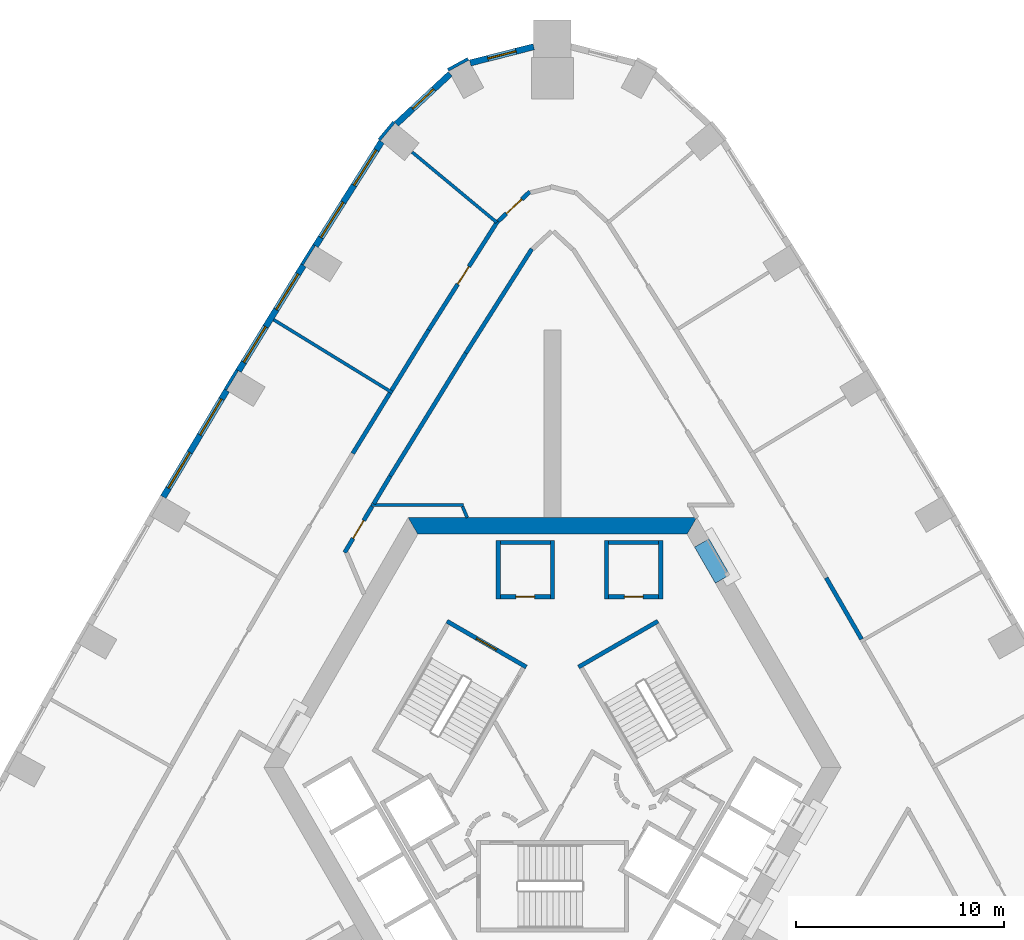
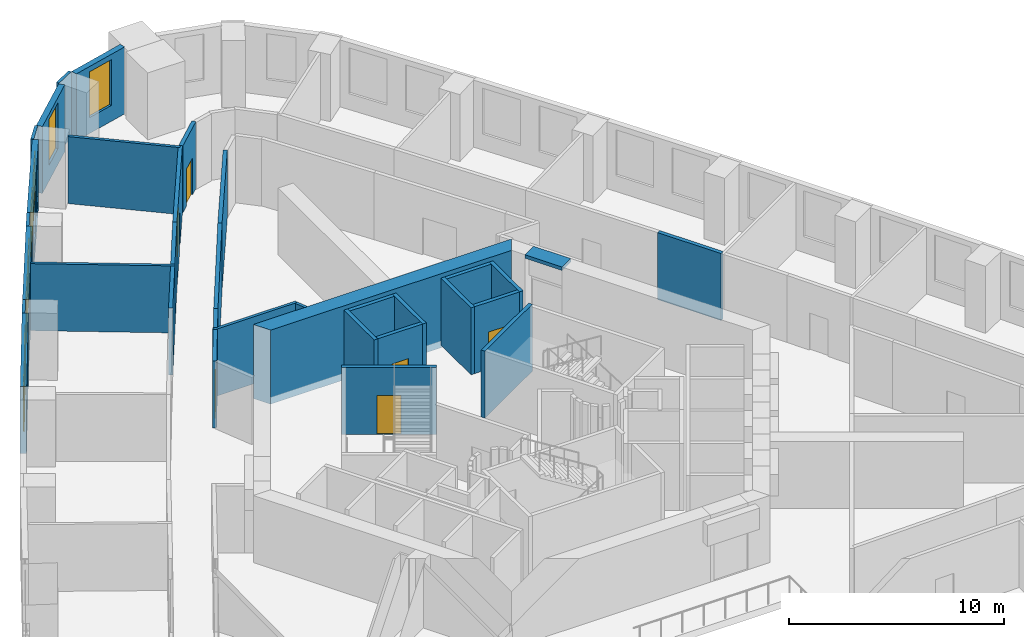
# One storey, part 9 of 12: 34 walls, 8 windows, 6 doors, 14 openings.
"""IFC4 building model written with IfcOpenShell, lengths in metres."""

from ifc_helpers import new_model, si_unit, direction, frame, frame_2d, origin, place, context, subcontext, project, spatial, polyline, rectangle, outline, extrude, material, layer, layer_set, type_object, element, fill, save


model = new_model("IFC4")

# Units and contexts
model_context = context("Model", 3, precision=1e-05, world=origin(), true_north=direction((0.0, 1.0)))
body_context = subcontext(model_context, "Body", "Model", "MODEL_VIEW")
ifc_project = project(units=[si_unit("LENGTHUNIT", "METRE"), si_unit("AREAUNIT", "SQUARE_METRE"), si_unit("VOLUMEUNIT", "CUBIC_METRE"), si_unit("PLANEANGLEUNIT", "RADIAN"), si_unit("MASSUNIT", "GRAM", prefix="KILO")], contexts=[model_context])

# Site, building, storey
site_placement = place(None, origin())
site = spatial("IfcSite", under=ifc_project, at=site_placement, CompositionType="ELEMENT")
building_placement = place(site_placement, origin())
building = spatial("IfcBuilding", under=site, at=building_placement, Name="Entoto Arch Interchange Tower", CompositionType="ELEMENT")
storey_placement = place(building_placement, frame((0.0, 0.0, 142.39990234375)))
storey = spatial("IfcBuildingStorey", under=building, at=storey_placement, Name="L31", CompositionType="ELEMENT", Elevation=142.39990234375)

# Walls
ifc_material_1 = material(Name="Concrete C50/60", Category="concrete")
ifc_layer_1 = layer(ifc_material_1, 0.800048828125)
ifc_layer_set_1 = layer_set([ifc_layer_1], Name="Concrete C50/60")
wall_type_1 = type_object("IfcWallType", Name="Core wall 800 C50/60", PredefinedType="SHEAR", material=ifc_layer_set_1)
wall_1_placement = place(storey_placement, frame((0.0, 0.0, 3.60009765625)))
element("IfcWall", 1, at=wall_1_placement, inside=storey, type_object=wall_type_1, Name="Core wall lintel NE L31", PredefinedType="SHEAR", context=body_context, shape_type="SweptSolid", body=[
    extrude(outline(polyline([(7.51708984375, 13.47998046875), (6.823974609375, 13.080078125), (7.823974609375, 11.347900390625), (8.51708984375, 11.748046875), (7.51708984375, 13.47998046875)])), origin(), (0.0, 0.0, 1.0), 0.199951171875),
])
wall_2_placement = place(storey_placement, frame((0.0, 0.0, -0.39990234375)))
element("IfcWall", 2, at=wall_2_placement, inside=storey, type_object=wall_type_1, Name="Core wall N L31", PredefinedType="SHEAR", context=body_context, shape_type="SweptSolid", body=[
    extrude(outline(polyline([(6.927978515625, 14.5), (-6.927978515625, 14.5), (-6.466064453125, 13.699951171875), (6.466064453125, 13.699951171875), (6.927978515625, 14.5)])), origin(), (0.0, 0.0, 1.0), 4.199951171875),
])
ifc_material_2 = material(Name="Gypsum board partition on steel studs", Category="steel")
ifc_layer_2 = layer(ifc_material_2, 0.14990234375)
ifc_layer_set_2 = layer_set([ifc_layer_2], Name="Gypsum board partition on steel studs")
wall_type_2 = type_object("IfcWallType", Name="PARTITION 150", PredefinedType="PARTITIONING", material=ifc_layer_set_2)
wall_3_placement = place(storey_placement, frame((-4.27197265625, 15.10009765625, 0.0), z_axis=(0.0, 0.0, 1.0), x_axis=(-1.0, 0.0, 0.0)))
element("IfcWall", 3, at=wall_3_placement, inside=storey, type_object=wall_type_2, Name="wall:L31:p085", PredefinedType="PARTITIONING", context=body_context, shape_type="SweptSolid", body=[
    extrude(rectangle(XDim=4.447998046875, YDim=0.14990234375, at=frame_2d((2.22412109375, 0.0))), origin(), (0.0, 0.0, 1.0), 3.800048828125),
])
wall_4_placement = place(storey_placement, frame((-4.093017578125, 14.5, 0.0), z_axis=(0.0, 0.0, 1.0), x_axis=(-0.390288929197, 0.92069243059, 0.0)))
element("IfcWall", 4, at=wall_4_placement, inside=storey, type_object=wall_type_2, Name="wall:L31:p086", PredefinedType="PARTITIONING", context=body_context, shape_type="SweptSolid", body=[
    extrude(rectangle(XDim=0.57666015625, YDim=0.14990234375, at=frame_2d((0.288330078125, 0.0))), origin(), (0.0, 0.0, 1.0), 3.800048828125),
])
wall_5_placement = place(storey_placement, frame((-2.669921875, 28.669921875, 0.0), z_axis=(0.0, 0.0, 1.0), x_axis=(-0.769162789992, 0.639052894909, 0.0)))
element("IfcWall", 5, at=wall_5_placement, inside=storey, type_object=wall_type_2, Name="wall:L31:p132", PredefinedType="PARTITIONING", context=body_context, shape_type="SweptSolid", body=[
    extrude(rectangle(XDim=5.287841796875, YDim=0.14990234375, at=frame_2d((2.64404296875, 0.0))), origin(), (0.0, 0.0, 1.0), 3.800048828125),
])
wall_6_placement = place(storey_placement, frame((-7.678955078125, 20.491943359375, 0.0), z_axis=(0.0, 0.0, 1.0), x_axis=(-0.851897179877, 0.523709074695, 0.0)))
element("IfcWall", 6, at=wall_6_placement, inside=storey, type_object=wall_type_2, Name="wall:L31:p133", PredefinedType="PARTITIONING", context=body_context, shape_type="SweptSolid", body=[
    extrude(rectangle(XDim=6.700439453125, YDim=0.14990234375, at=frame_2d((3.35009765625, 0.0))), origin(), (0.0, 0.0, 1.0), 3.800048828125),
])

# Wall, opening, door
ifc_layer_3 = layer(ifc_material_2, 0.199951171875)
ifc_layer_set_3 = layer_set([ifc_layer_3], Name="Gypsum board partition on steel studs")
wall_type_3 = type_object("IfcWallType", Name="PARTITION 200", PredefinedType="PARTITIONING", material=ifc_layer_set_3)
wall_7_placement = place(storey_placement, frame((-8.657958984375, 15.035888671875, 0.0), z_axis=(0.0, 0.0, 1.0), x_axis=(-0.511860217954, -0.859068750029, 0.0)))
wall_7 = element("IfcWall", 7, at=wall_7_placement, inside=storey, type_object=wall_type_3, Name="wall:L31:p001", PredefinedType="PARTITIONING", context=body_context, shape_type="SweptSolid", body=[
    extrude(rectangle(XDim=2.5771484375, YDim=0.199951171875, at=frame_2d((1.28857421875, 0.0))), origin(), (0.0, 0.0, 1.0), 3.800048828125),
])
opening_1_placement = place(wall_7_placement, frame((0.7880859375, 0.0, 0.0)))
opening_1 = element("IfcOpeningElement", 8, at=opening_1_placement, cuts=wall_7, Name="Opening L31-D30", PredefinedType="OPENING", context=body_context, shape_type="SweptSolid", body=[
    extrude(rectangle(XDim=1.0, YDim=2.10009765625, at=frame_2d((0.5, 1.050048828125))), frame((0.0, 0.10986328125, 0.0), z_axis=(0.0, -1.0, 0.0), x_axis=(1.0, 0.0, 0.0)), (0.0, 0.0, 1.0), 0.219970703125),
])
ifc_material_3 = material(Name="Timber door leaf in Steel S235 frame", Category="steel")
door_type_1 = type_object("IfcDoorType", Name="DOOR DS-10 1000x2100", OperationType="SINGLE_SWING_LEFT", PredefinedType="DOOR", material=ifc_material_3)
door_1_placement = place(opening_1_placement, origin())
door_1 = element("IfcDoor", 9, at=door_1_placement, inside=storey, type_object=door_type_1, Name="door:L31:30", OperationType="SINGLE_SWING_LEFT", OverallHeight=2.10009765625, OverallWidth=1.0, PredefinedType="DOOR", context=body_context, shape_type="SweptSolid", body=[
    extrude(rectangle(XDim=1.0, YDim=2.10009765625, at=frame_2d((0.5, 1.050048828125))), frame((0.0, 0.02490234375, 0.0), z_axis=(0.0, -1.0, 0.0), x_axis=(1.0, 0.0, 0.0)), (0.0, 0.0, 1.0), 0.050048828125),
])
fill(opening_1, door_1)

# Walls
wall_8_placement = place(storey_placement, frame((-0.988037109375, 27.40087890625, 0.0), z_axis=(0.0, 0.0, 1.0), x_axis=(-0.535496886312, -0.844537201519, 0.0)))
element("IfcWall", 10, at=wall_8_placement, inside=storey, type_object=wall_type_3, Name="wall:L31:p010", PredefinedType="PARTITIONING", context=body_context, shape_type="SweptSolid", body=[
    extrude(rectangle(XDim=5.92724609375, YDim=0.199951171875, at=frame_2d((2.963623046875, 0.0))), origin(), (0.0, 0.0, 1.0), 3.800048828125),
])
wall_9_placement = place(storey_placement, frame((-4.162109375, 22.39501953125, 0.0), z_axis=(0.0, 0.0, 1.0), x_axis=(-0.523625371849, -0.851948631055, 0.0)))
element("IfcWall", 11, at=wall_9_placement, inside=storey, type_object=wall_type_3, Name="wall:L31:p011", PredefinedType="PARTITIONING", context=body_context, shape_type="SweptSolid", body=[
    extrude(rectangle(XDim=6.926513671875, YDim=0.199951171875, at=frame_2d((3.46337890625, 0.0))), origin(), (0.0, 0.0, 1.0), 3.800048828125),
])
wall_10_placement = place(storey_placement, frame((-7.7890625, 16.493896484375, 0.0), z_axis=(0.0, 0.0, 1.0), x_axis=(-0.511686277462, -0.859172365394, 0.0)))
element("IfcWall", 12, at=wall_10_placement, inside=storey, type_object=wall_type_3, Name="wall:L31:p012", PredefinedType="PARTITIONING", context=body_context, shape_type="SweptSolid", body=[
    extrude(rectangle(XDim=1.5478515625, YDim=0.199951171875, at=frame_2d((0.77392578125, 0.0))), origin(), (0.0, 0.0, 1.0), 3.800048828125),
])
wall_11_placement = place(storey_placement, frame((13.14599609375, 11.60595703125, 0.0), z_axis=(0.0, 0.0, 1.0), x_axis=(0.499881871653, -0.866093594476, 0.0)))
element("IfcWall", 13, at=wall_11_placement, inside=storey, type_object=wall_type_3, Name="wall:L31:p044", PredefinedType="PARTITIONING", context=body_context, shape_type="SweptSolid", body=[
    extrude(rectangle(XDim=3.402587890625, YDim=0.199951171875, at=frame_2d((1.701171875, 0.0))), origin(), (0.0, 0.0, 1.0), 3.800048828125),
])

# Wall, opening, door
wall_12_placement = place(storey_placement, frame((-2.596923828125, 28.738037109375, 0.0), z_axis=(0.0, 0.0, 1.0), x_axis=(0.73206471367, 0.681235095249, 0.0)))
wall_12 = element("IfcWall", 14, at=wall_12_placement, inside=storey, type_object=wall_type_3, Name="wall:L31:p047", PredefinedType="PARTITIONING", context=body_context, shape_type="SweptSolid", body=[
    extrude(rectangle(XDim=2.0654296875, YDim=0.199951171875, at=frame_2d((1.03271484375, 0.0))), origin(), (0.0, 0.0, 1.0), 3.800048828125),
])
opening_2_placement = place(wall_12_placement, frame((0.531982421875, 0.0, 0.0)))
opening_2 = element("IfcOpeningElement", 15, at=opening_2_placement, cuts=wall_12, Name="Opening L31-D10", PredefinedType="OPENING", context=body_context, shape_type="SweptSolid", body=[
    extrude(rectangle(XDim=1.0, YDim=2.10009765625, at=frame_2d((0.5, 1.050048828125))), frame((0.0, 0.10986328125, 0.0), z_axis=(0.0, -1.0, 0.0), x_axis=(1.0, 0.0, 0.0)), (0.0, 0.0, 1.0), 0.219970703125),
])
door_2_placement = place(opening_2_placement, origin())
door_2 = element("IfcDoor", 16, at=door_2_placement, inside=storey, type_object=door_type_1, Name="door:L31:10", OperationType="SINGLE_SWING_LEFT", OverallHeight=2.10009765625, OverallWidth=1.0, PredefinedType="DOOR", context=body_context, shape_type="SweptSolid", body=[
    extrude(rectangle(XDim=1.0, YDim=2.10009765625, at=frame_2d((0.5, 1.050048828125))), frame((0.0, 0.02490234375, 0.0), z_axis=(0.0, -1.0, 0.0), x_axis=(1.0, 0.0, 0.0)), (0.0, 0.0, 1.0), 0.050048828125),
])
fill(opening_2, door_2)

# Wall
wall_13_placement = place(storey_placement, frame((-7.72509765625, 20.60791015625, 0.0), z_axis=(0.0, 0.0, 1.0), x_axis=(0.523645038298, 0.851936543333, 0.0)))
element("IfcWall", 17, at=wall_13_placement, inside=storey, type_object=wall_type_3, Name="wall:L31:p051", PredefinedType="PARTITIONING", context=body_context, shape_type="SweptSolid", body=[
    extrude(rectangle(XDim=3.403076171875, YDim=0.199951171875, at=frame_2d((1.70166015625, 0.0))), origin(), (0.0, 0.0, 1.0), 3.800048828125),
])

# Wall, opening, door
wall_14_placement = place(storey_placement, frame((-5.943115234375, 23.507080078125, 0.0), z_axis=(0.0, 0.0, 1.0), x_axis=(0.535529721247, 0.844516380931, 0.0)))
wall_14 = element("IfcWall", 18, at=wall_14_placement, inside=storey, type_object=wall_type_3, Name="wall:L31:p052", PredefinedType="PARTITIONING", context=body_context, shape_type="SweptSolid", body=[
    extrude(rectangle(XDim=6.212890625, YDim=0.199951171875, at=frame_2d((3.1064453125, 0.0))), origin(), (0.0, 0.0, 1.0), 3.800048828125),
])
opening_3_placement = place(wall_14_placement, frame((2.60693359375, 0.0, 0.0)))
opening_3 = element("IfcOpeningElement", 19, at=opening_3_placement, cuts=wall_14, Name="Opening L31-D11", PredefinedType="OPENING", context=body_context, shape_type="SweptSolid", body=[
    extrude(rectangle(XDim=1.0, YDim=2.10009765625, at=frame_2d((0.5, 1.050048828125))), frame((0.0, 0.10986328125, 0.0), z_axis=(0.0, -1.0, 0.0), x_axis=(1.0, 0.0, 0.0)), (0.0, 0.0, 1.0), 0.219970703125),
])
door_3_placement = place(opening_3_placement, origin())
door_3 = element("IfcDoor", 20, at=door_3_placement, inside=storey, type_object=door_type_1, Name="door:L31:11", OperationType="SINGLE_SWING_LEFT", OverallHeight=2.10009765625, OverallWidth=1.0, PredefinedType="DOOR", context=body_context, shape_type="SweptSolid", body=[
    extrude(rectangle(XDim=1.0, YDim=2.10009765625, at=frame_2d((0.5, 1.050048828125))), frame((0.0, 0.02490234375, 0.0), z_axis=(0.0, -1.0, 0.0), x_axis=(1.0, 0.0, 0.0)), (0.0, 0.0, 1.0), 0.050048828125),
])
fill(opening_3, door_3)

# Walls
wall_15_placement = place(storey_placement, frame((-9.5859375, 17.5810546875, 0.0), z_axis=(0.0, 0.0, 1.0), x_axis=(0.523757261565, 0.851867554822, 0.0)))
element("IfcWall", 21, at=wall_15_placement, inside=storey, type_object=wall_type_3, Name="wall:L31:p054", PredefinedType="PARTITIONING", context=body_context, shape_type="SweptSolid", body=[
    extrude(rectangle(XDim=3.404052734375, YDim=0.199951171875, at=frame_2d((1.7021484375, 0.0))), origin(), (0.0, 0.0, 1.0), 3.800048828125),
])
wall_16_placement = place(storey_placement, frame((5.199951171875, 13.39990234375, 0.0), z_axis=(0.0, 0.0, 1.0), x_axis=(0.0, -1.0, 0.0)))
element("IfcWall", 22, at=wall_16_placement, inside=storey, type_object=wall_type_3, Name="wall:L31:p066", PredefinedType="PARTITIONING", context=body_context, shape_type="SweptSolid", body=[
    extrude(rectangle(XDim=2.7998046875, YDim=0.199951171875, at=frame_2d((1.39990234375, 0.0))), origin(), (0.0, 0.0, 1.0), 3.800048828125),
])

# Wall, opening, door
wall_17_placement = place(storey_placement, frame((5.10009765625, 10.699951171875, 0.0), z_axis=(0.0, 0.0, 1.0), x_axis=(-1.0, 0.0, 0.0)))
wall_17 = element("IfcWall", 23, at=wall_17_placement, inside=storey, type_object=wall_type_3, Name="wall:L31:p067", PredefinedType="PARTITIONING", context=body_context, shape_type="SweptSolid", body=[
    extrude(rectangle(XDim=2.400146484375, YDim=0.199951171875, at=frame_2d((1.2001953125, 0.0))), origin(), (0.0, 0.0, 1.0), 3.800048828125),
])
opening_4_placement = place(wall_17_placement, frame((0.75, 0.0, 0.0)))
opening_4 = element("IfcOpeningElement", 24, at=opening_4_placement, cuts=wall_17, Name="Opening L31-D33", PredefinedType="OPENING", context=body_context, shape_type="SweptSolid", body=[
    extrude(rectangle(XDim=0.89990234375, YDim=2.10009765625, at=frame_2d((0.449951171875, 1.050048828125))), frame((0.0, 0.10986328125, 0.0), z_axis=(0.0, -1.0, 0.0), x_axis=(1.0, 0.0, 0.0)), (0.0, 0.0, 1.0), 0.219970703125),
])
door_type_2 = type_object("IfcDoorType", Name="DOOR DS-09 900x2100", OperationType="SINGLE_SWING_LEFT", PredefinedType="DOOR", material=ifc_material_3)
door_4_placement = place(opening_4_placement, origin())
door_4 = element("IfcDoor", 25, at=door_4_placement, inside=storey, type_object=door_type_2, Name="door:L31:33", OperationType="SINGLE_SWING_RIGHT", OverallHeight=2.10009765625, OverallWidth=0.89990234375, PredefinedType="DOOR", context=body_context, shape_type="SweptSolid", body=[
    extrude(rectangle(XDim=0.89990234375, YDim=2.10009765625, at=frame_2d((0.449951171875, 1.050048828125))), frame((0.0, 0.02490234375, 0.0), z_axis=(0.0, -1.0, 0.0), x_axis=(1.0, 0.0, 0.0)), (0.0, 0.0, 1.0), 0.050048828125),
])
fill(opening_4, door_4)

# Walls
wall_18_placement = place(storey_placement, frame((2.60009765625, 10.60009765625, 0.0), z_axis=(0.0, 0.0, 1.0), x_axis=(0.0, 1.0, 0.0)))
element("IfcWall", 26, at=wall_18_placement, inside=storey, type_object=wall_type_3, Name="wall:L31:p068", PredefinedType="PARTITIONING", context=body_context, shape_type="SweptSolid", body=[
    extrude(rectangle(XDim=2.7998046875, YDim=0.199951171875, at=frame_2d((1.39990234375, 0.0))), origin(), (0.0, 0.0, 1.0), 3.800048828125),
])
wall_19_placement = place(storey_placement, frame((2.699951171875, 13.300048828125, 0.0), z_axis=(0.0, 0.0, 1.0), x_axis=(1.0, 0.0, 0.0)))
element("IfcWall", 27, at=wall_19_placement, inside=storey, type_object=wall_type_3, Name="wall:L31:p069", PredefinedType="PARTITIONING", context=body_context, shape_type="SweptSolid", body=[
    extrude(rectangle(XDim=2.400146484375, YDim=0.199951171875, at=frame_2d((1.2001953125, 0.0))), origin(), (0.0, 0.0, 1.0), 3.800048828125),
])
wall_20_placement = place(storey_placement, frame((0.0, 13.39990234375, 0.0), z_axis=(0.0, 0.0, 1.0), x_axis=(0.0, -1.0, 0.0)))
element("IfcWall", 28, at=wall_20_placement, inside=storey, type_object=wall_type_3, Name="wall:L31:p070", PredefinedType="PARTITIONING", context=body_context, shape_type="SweptSolid", body=[
    extrude(rectangle(XDim=2.7998046875, YDim=0.199951171875, at=frame_2d((1.39990234375, 0.0))), origin(), (0.0, 0.0, 1.0), 3.800048828125),
])

# Wall, opening, door
wall_21_placement = place(storey_placement, frame((-0.10009765625, 10.699951171875, 0.0), z_axis=(0.0, 0.0, 1.0), x_axis=(-1.0, 0.0, 0.0)))
wall_21 = element("IfcWall", 29, at=wall_21_placement, inside=storey, type_object=wall_type_3, Name="wall:L31:p071", PredefinedType="PARTITIONING", context=body_context, shape_type="SweptSolid", body=[
    extrude(rectangle(XDim=2.39990234375, YDim=0.199951171875, at=frame_2d((1.199951171875, 0.0))), origin(), (0.0, 0.0, 1.0), 3.800048828125),
])
opening_5_placement = place(wall_21_placement, frame((0.75, 0.0, 0.0)))
opening_5 = element("IfcOpeningElement", 30, at=opening_5_placement, cuts=wall_21, Name="Opening L31-D34", PredefinedType="OPENING", context=body_context, shape_type="SweptSolid", body=[
    extrude(rectangle(XDim=0.89990234375, YDim=2.10009765625, at=frame_2d((0.449951171875, 1.050048828125))), frame((0.0, 0.10986328125, 0.0), z_axis=(0.0, -1.0, 0.0), x_axis=(1.0, 0.0, 0.0)), (0.0, 0.0, 1.0), 0.219970703125),
])
door_5_placement = place(opening_5_placement, origin())
door_5 = element("IfcDoor", 31, at=door_5_placement, inside=storey, type_object=door_type_2, Name="door:L31:34", OperationType="SINGLE_SWING_RIGHT", OverallHeight=2.10009765625, OverallWidth=0.89990234375, PredefinedType="DOOR", context=body_context, shape_type="SweptSolid", body=[
    extrude(rectangle(XDim=0.89990234375, YDim=2.10009765625, at=frame_2d((0.449951171875, 1.050048828125))), frame((0.0, 0.02490234375, 0.0), z_axis=(0.0, -1.0, 0.0), x_axis=(1.0, 0.0, 0.0)), (0.0, 0.0, 1.0), 0.050048828125),
])
fill(opening_5, door_5)

# Walls
wall_22_placement = place(storey_placement, frame((-2.60009765625, 10.60009765625, 0.0), z_axis=(0.0, 0.0, 1.0), x_axis=(0.0, 1.0, 0.0)))
element("IfcWall", 32, at=wall_22_placement, inside=storey, type_object=wall_type_3, Name="wall:L31:p072", PredefinedType="PARTITIONING", context=body_context, shape_type="SweptSolid", body=[
    extrude(rectangle(XDim=2.7998046875, YDim=0.199951171875, at=frame_2d((1.39990234375, 0.0))), origin(), (0.0, 0.0, 1.0), 3.800048828125),
])
wall_23_placement = place(storey_placement, frame((-2.5, 13.300048828125, 0.0), z_axis=(0.0, 0.0, 1.0), x_axis=(1.0, 0.0, 0.0)))
element("IfcWall", 33, at=wall_23_placement, inside=storey, type_object=wall_type_3, Name="wall:L31:p073", PredefinedType="PARTITIONING", context=body_context, shape_type="SweptSolid", body=[
    extrude(rectangle(XDim=2.39990234375, YDim=0.199951171875, at=frame_2d((1.199951171875, 0.0))), origin(), (0.0, 0.0, 1.0), 3.800048828125),
])
ifc_material_4 = material(Name="Concrete C40/50", Category="concrete")
ifc_layer_4 = layer(ifc_material_4, 0.199951171875)
ifc_layer_set_4 = layer_set([ifc_layer_4], Name="Concrete C40/50")
wall_type_4 = type_object("IfcWallType", Name="STAIR ENCLOSURE WALL 200", PredefinedType="STANDARD", material=ifc_layer_set_4)
wall_24_placement = place(storey_placement, frame((1.256103515625, 7.323974609375, 0.0), z_axis=(0.0, 0.0, 1.0), x_axis=(0.866046073146, 0.499964197906, 0.0)))
element("IfcWall", 34, at=wall_24_placement, inside=storey, type_object=wall_type_4, Name="Stair wall ST-NE far", PredefinedType="STANDARD", context=body_context, shape_type="SweptSolid", body=[
    extrude(rectangle(XDim=4.400146484375, YDim=0.199951171875, at=frame_2d((2.2001953125, 0.0))), origin(), (0.0, 0.0, 1.0), 3.800048828125),
])

# Wall, opening, door
wall_25_placement = place(storey_placement, frame((-1.256103515625, 7.323974609375, 0.0), z_axis=(0.0, 0.0, 1.0), x_axis=(-0.866046073146, 0.499964197906, 0.0)))
wall_25 = element("IfcWall", 35, at=wall_25_placement, inside=storey, type_object=wall_type_4, Name="Stair wall ST-NW near", PredefinedType="STANDARD", context=body_context, shape_type="SweptSolid", body=[
    extrude(rectangle(XDim=4.400146484375, YDim=0.199951171875, at=frame_2d((2.2001953125, 0.0))), origin(), (0.0, 0.0, 1.0), 3.800048828125),
])
opening_6_placement = place(wall_25_placement, frame((1.64990234375, 0.0, 0.0)))
opening_6 = element("IfcOpeningElement", 36, at=opening_6_placement, cuts=wall_25, Name="Opening SD-ST-NW-L31-E", PredefinedType="OPENING", context=body_context, shape_type="SweptSolid", body=[
    extrude(rectangle(XDim=1.10009765625, YDim=2.199951171875, at=frame_2d((0.550048828125, 1.10009765625))), frame((0.0, 0.10986328125, 0.0), z_axis=(0.0, -1.0, 0.0), x_axis=(1.0, 0.0, 0.0)), (0.0, 0.0, 1.0), 0.219970703125),
])
ifc_material_5 = material(Name="Steel S235", Category="steel")
door_type_3 = type_object("IfcDoorType", Name="STAIR DOOR SD1 1100x2200", OperationType="SINGLE_SWING_LEFT", PredefinedType="DOOR", material=ifc_material_5)
door_6_placement = place(opening_6_placement, origin())
door_6 = element("IfcDoor", 37, at=door_6_placement, inside=storey, type_object=door_type_3, Name="Stair door ST-NW L31 end", OperationType="SINGLE_SWING_LEFT", OverallHeight=2.199951171875, OverallWidth=1.10009765625, PredefinedType="DOOR", context=body_context, shape_type="SweptSolid", body=[
    extrude(rectangle(XDim=1.10009765625, YDim=2.199951171875, at=frame_2d((0.550048828125, 1.10009765625))), frame((0.0, 0.02490234375, 0.0), z_axis=(0.0, -1.0, 0.0), x_axis=(1.0, 0.0, 0.0)), (0.0, 0.0, 1.0), 0.050048828125),
])
fill(opening_6, door_6)

# Wall, opening, window
ifc_material_6 = material(Name="Welded tuff (ignimbrite) cladding, warm buff", Category="masonry")
ifc_layer_5 = layer(ifc_material_6, 0.300048828125)
ifc_layer_set_5 = layer_set([ifc_layer_5], Name="Welded tuff (ignimbrite) cladding, warm buff")
wall_type_5 = type_object("IfcWallType", Name="STONE INFILL WALL 300", PredefinedType="STANDARD", material=ifc_layer_set_5)
wall_26_placement = place(storey_placement, frame((-0.89892578125, 37.10888671875, 0.0), z_axis=(0.0, 0.0, 1.0), x_axis=(-0.968929586963, -0.247336724947, 0.0)))
wall_26 = element("IfcWall", 38, at=wall_26_placement, inside=storey, type_object=wall_type_5, Name="Facade wall N-03 L31", PredefinedType="STANDARD", context=body_context, shape_type="SweptSolid", body=[
    extrude(rectangle(XDim=3.144775390625, YDim=0.300048828125, at=frame_2d((1.572265625, 0.0))), origin(), (0.0, 0.0, 1.0), 3.800048828125),
])
opening_7_placement = place(wall_26_placement, frame((0.8720703125, 0.0, 0.89990234375)))
opening_7 = element("IfcOpeningElement", 39, at=opening_7_placement, cuts=wall_26, Name="Opening WO-B", PredefinedType="OPENING", context=body_context, shape_type="SweptSolid", body=[
    extrude(rectangle(XDim=1.39990234375, YDim=2.60009765625, at=frame_2d((0.699951171875, 1.300048828125))), frame((0.0, 0.16015625, 0.0), z_axis=(0.0, -1.0, 0.0), x_axis=(1.0, 0.0, 0.0)), (0.0, 0.0, 1.0), 0.320068359375),
])
ifc_material_7 = material(Name="Clear glass, low-e double glazed", Category="glass")
window_type_1 = type_object("IfcWindowType", Name="WINDOW WO-B 1400x2600", PartitioningType="DOUBLE_PANEL_VERTICAL", PredefinedType="WINDOW", material=ifc_material_7)
window_1_placement = place(opening_7_placement, origin())
window_1 = element("IfcWindow", 40, at=window_1_placement, inside=storey, type_object=window_type_1, Name="Window WO-B N-03 L31", OverallHeight=2.60009765625, OverallWidth=1.39990234375, PartitioningType="SINGLE_PANEL", PredefinedType="WINDOW", context=body_context, shape_type="SweptSolid", body=[
    extrude(rectangle(XDim=1.39990234375, YDim=2.60009765625, at=frame_2d((0.699951171875, 1.300048828125))), frame((0.0, 0.030029296875, 0.0), z_axis=(0.0, -1.0, 0.0), x_axis=(1.0, 0.0, 0.0)), (0.0, 0.0, 1.0), 0.06005859375),
])
fill(opening_7, window_1)

wall_27_placement = place(storey_placement, frame((-4.909912109375, 35.804931640625, 0.0), z_axis=(0.0, 0.0, 1.0), x_axis=(-0.732121882671, -0.681173655475, 0.0)))
wall_27 = element("IfcWall", 41, at=wall_27_placement, inside=storey, type_object=wall_type_5, Name="Facade wall N-04 L31", PredefinedType="STANDARD", context=body_context, shape_type="SweptSolid", body=[
    extrude(rectangle(XDim=3.536376953125, YDim=0.300048828125, at=frame_2d((1.76806640625, 0.0))), origin(), (0.0, 0.0, 1.0), 3.800048828125),
])
opening_8_placement = place(wall_27_placement, frame((1.068115234375, 0.0, 0.89990234375)))
opening_8 = element("IfcOpeningElement", 42, at=opening_8_placement, cuts=wall_27, Name="Opening WO-B", PredefinedType="OPENING", context=body_context, shape_type="SweptSolid", body=[
    extrude(rectangle(XDim=1.39990234375, YDim=2.60009765625, at=frame_2d((0.699951171875, 1.300048828125))), frame((0.0, 0.16015625, 0.0), z_axis=(0.0, -1.0, 0.0), x_axis=(1.0, 0.0, 0.0)), (0.0, 0.0, 1.0), 0.320068359375),
])
window_2_placement = place(opening_8_placement, origin())
window_2 = element("IfcWindow", 43, at=window_2_placement, inside=storey, type_object=window_type_1, Name="Window WO-B N-04 L31", OverallHeight=2.60009765625, OverallWidth=1.39990234375, PartitioningType="SINGLE_PANEL", PredefinedType="WINDOW", context=body_context, shape_type="SweptSolid", body=[
    extrude(rectangle(XDim=1.39990234375, YDim=2.60009765625, at=frame_2d((0.699951171875, 1.300048828125))), frame((0.0, 0.030029296875, 0.0), z_axis=(0.0, -1.0, 0.0), x_axis=(1.0, 0.0, 0.0)), (0.0, 0.0, 1.0), 0.06005859375),
])
fill(opening_8, window_2)

# Wall, openings, windows
wall_28_placement = place(storey_placement, frame((-8.200927734375, 32.552001953125, 0.0), z_axis=(0.0, 0.0, 1.0), x_axis=(-0.535403761464, -0.844596242124, 0.0)))
wall_28 = element("IfcWall", 44, at=wall_28_placement, inside=storey, type_object=wall_type_5, Name="Facade wall NW-01 L31", PredefinedType="STANDARD", context=body_context, shape_type="SweptSolid", body=[
    extrude(rectangle(XDim=5.928466796875, YDim=0.300048828125, at=frame_2d((2.96435546875, 0.0))), origin(), (0.0, 0.0, 1.0), 3.800048828125),
])
opening_9_placement = place(wall_28_placement, frame((0.48193359375, 0.0, 0.89990234375)))
opening_9 = element("IfcOpeningElement", 45, at=opening_9_placement, cuts=wall_28, Name="Opening WO-C", PredefinedType="OPENING", context=body_context, shape_type="SweptSolid", body=[
    extrude(rectangle(XDim=2.0, YDim=2.60009765625, at=frame_2d((1.0, 1.300048828125))), frame((0.0, 0.16015625, 0.0), z_axis=(0.0, -1.0, 0.0), x_axis=(1.0, 0.0, 0.0)), (0.0, 0.0, 1.0), 0.320068359375),
])
opening_10_placement = place(wall_28_placement, frame((3.446044921875, 0.0, 0.89990234375)))
opening_10 = element("IfcOpeningElement", 46, at=opening_10_placement, cuts=wall_28, Name="Opening WO-C", PredefinedType="OPENING", context=body_context, shape_type="SweptSolid", body=[
    extrude(rectangle(XDim=2.0, YDim=2.60009765625, at=frame_2d((1.0, 1.300048828125))), frame((0.0, 0.16015625, 0.0), z_axis=(0.0, -1.0, 0.0), x_axis=(1.0, 0.0, 0.0)), (0.0, 0.0, 1.0), 0.320068359375),
])
window_type_2 = type_object("IfcWindowType", Name="WINDOW WO-C 2000x2600", PartitioningType="DOUBLE_PANEL_VERTICAL", PredefinedType="WINDOW", material=ifc_material_7)
window_3_placement = place(opening_9_placement, origin())
window_3 = element("IfcWindow", 47, at=window_3_placement, inside=storey, type_object=window_type_2, Name="Window WO-C NW-01 L31", OverallHeight=2.60009765625, OverallWidth=2.0, PartitioningType="SINGLE_PANEL", PredefinedType="WINDOW", context=body_context, shape_type="SweptSolid", body=[
    extrude(rectangle(XDim=2.0, YDim=2.60009765625, at=frame_2d((1.0, 1.300048828125))), frame((0.0, 0.030029296875, 0.0), z_axis=(0.0, -1.0, 0.0), x_axis=(1.0, 0.0, 0.0)), (0.0, 0.0, 1.0), 0.06005859375),
])
fill(opening_9, window_3)
window_4_placement = place(opening_10_placement, origin())
window_4 = element("IfcWindow", 48, at=window_4_placement, inside=storey, type_object=window_type_2, Name="Window WO-C NW-01 L31", OverallHeight=2.60009765625, OverallWidth=2.0, PartitioningType="SINGLE_PANEL", PredefinedType="WINDOW", context=body_context, shape_type="SweptSolid", body=[
    extrude(rectangle(XDim=2.0, YDim=2.60009765625, at=frame_2d((1.0, 1.300048828125))), frame((0.0, 0.030029296875, 0.0), z_axis=(0.0, -1.0, 0.0), x_axis=(1.0, 0.0, 0.0)), (0.0, 0.0, 1.0), 0.06005859375),
])
fill(opening_10, window_4)

wall_29_placement = place(storey_placement, frame((-11.9560546875, 26.614013671875, 0.0), z_axis=(0.0, 0.0, 1.0), x_axis=(-0.523719731127, -0.851890628677, 0.0)))
wall_29 = element("IfcWall", 49, at=wall_29_placement, inside=storey, type_object=wall_type_5, Name="Facade wall NW-02 L31", PredefinedType="STANDARD", context=body_context, shape_type="SweptSolid", body=[
    extrude(rectangle(XDim=5.95166015625, YDim=0.300048828125, at=frame_2d((2.975830078125, 0.0))), origin(), (0.0, 0.0, 1.0), 3.800048828125),
])
opening_11_placement = place(wall_29_placement, frame((0.488037109375, 0.0, 0.89990234375)))
opening_11 = element("IfcOpeningElement", 50, at=opening_11_placement, cuts=wall_29, Name="Opening WO-C", PredefinedType="OPENING", context=body_context, shape_type="SweptSolid", body=[
    extrude(rectangle(XDim=2.0, YDim=2.60009765625, at=frame_2d((1.0, 1.300048828125))), frame((0.0, 0.16015625, 0.0), z_axis=(0.0, -1.0, 0.0), x_axis=(1.0, 0.0, 0.0)), (0.0, 0.0, 1.0), 0.320068359375),
])
opening_12_placement = place(wall_29_placement, frame((3.464111328125, 0.0, 0.89990234375)))
opening_12 = element("IfcOpeningElement", 51, at=opening_12_placement, cuts=wall_29, Name="Opening WO-C", PredefinedType="OPENING", context=body_context, shape_type="SweptSolid", body=[
    extrude(rectangle(XDim=2.0, YDim=2.60009765625, at=frame_2d((1.0, 1.300048828125))), frame((0.0, 0.16015625, 0.0), z_axis=(0.0, -1.0, 0.0), x_axis=(1.0, 0.0, 0.0)), (0.0, 0.0, 1.0), 0.320068359375),
])
window_5_placement = place(opening_11_placement, origin())
window_5 = element("IfcWindow", 52, at=window_5_placement, inside=storey, type_object=window_type_2, Name="Window WO-C NW-02 L31", OverallHeight=2.60009765625, OverallWidth=2.0, PartitioningType="SINGLE_PANEL", PredefinedType="WINDOW", context=body_context, shape_type="SweptSolid", body=[
    extrude(rectangle(XDim=2.0, YDim=2.60009765625, at=frame_2d((1.0, 1.300048828125))), frame((0.0, 0.030029296875, 0.0), z_axis=(0.0, -1.0, 0.0), x_axis=(1.0, 0.0, 0.0)), (0.0, 0.0, 1.0), 0.06005859375),
])
fill(opening_11, window_5)
window_6_placement = place(opening_12_placement, origin())
window_6 = element("IfcWindow", 53, at=window_6_placement, inside=storey, type_object=window_type_2, Name="Window WO-C NW-02 L31", OverallHeight=2.60009765625, OverallWidth=2.0, PartitioningType="SINGLE_PANEL", PredefinedType="WINDOW", context=body_context, shape_type="SweptSolid", body=[
    extrude(rectangle(XDim=2.0, YDim=2.60009765625, at=frame_2d((1.0, 1.300048828125))), frame((0.0, 0.030029296875, 0.0), z_axis=(0.0, -1.0, 0.0), x_axis=(1.0, 0.0, 0.0)), (0.0, 0.0, 1.0), 0.06005859375),
])
fill(opening_12, window_6)

wall_30_placement = place(storey_placement, frame((-15.64208984375, 20.60498046875, 0.0), z_axis=(0.0, 0.0, 1.0), x_axis=(-0.511856715331, -0.859070836992, 0.0)))
wall_30 = element("IfcWall", 54, at=wall_30_placement, inside=storey, type_object=wall_type_5, Name="Facade wall NW-03 L31", PredefinedType="STANDARD", context=body_context, shape_type="SweptSolid", body=[
    extrude(rectangle(XDim=5.95068359375, YDim=0.300048828125, at=frame_2d((2.975341796875, 0.0))), origin(), (0.0, 0.0, 1.0), 3.800048828125),
])
opening_13_placement = place(wall_30_placement, frame((0.488037109375, 0.0, 0.89990234375)))
opening_13 = element("IfcOpeningElement", 55, at=opening_13_placement, cuts=wall_30, Name="Opening WO-C", PredefinedType="OPENING", context=body_context, shape_type="SweptSolid", body=[
    extrude(rectangle(XDim=2.0, YDim=2.60009765625, at=frame_2d((1.0, 1.300048828125))), frame((0.0, 0.16015625, 0.0), z_axis=(0.0, -1.0, 0.0), x_axis=(1.0, 0.0, 0.0)), (0.0, 0.0, 1.0), 0.320068359375),
])
opening_14_placement = place(wall_30_placement, frame((3.462890625, 0.0, 0.89990234375)))
opening_14 = element("IfcOpeningElement", 56, at=opening_14_placement, cuts=wall_30, Name="Opening WO-C", PredefinedType="OPENING", context=body_context, shape_type="SweptSolid", body=[
    extrude(rectangle(XDim=2.0, YDim=2.60009765625, at=frame_2d((1.0, 1.300048828125))), frame((0.0, 0.16015625, 0.0), z_axis=(0.0, -1.0, 0.0), x_axis=(1.0, 0.0, 0.0)), (0.0, 0.0, 1.0), 0.320068359375),
])
window_7_placement = place(opening_13_placement, origin())
window_7 = element("IfcWindow", 57, at=window_7_placement, inside=storey, type_object=window_type_2, Name="Window WO-C NW-03 L31", OverallHeight=2.60009765625, OverallWidth=2.0, PartitioningType="SINGLE_PANEL", PredefinedType="WINDOW", context=body_context, shape_type="SweptSolid", body=[
    extrude(rectangle(XDim=2.0, YDim=2.60009765625, at=frame_2d((1.0, 1.300048828125))), frame((0.0, 0.030029296875, 0.0), z_axis=(0.0, -1.0, 0.0), x_axis=(1.0, 0.0, 0.0)), (0.0, 0.0, 1.0), 0.06005859375),
])
fill(opening_13, window_7)
window_8_placement = place(opening_14_placement, origin())
window_8 = element("IfcWindow", 58, at=window_8_placement, inside=storey, type_object=window_type_2, Name="Window WO-C NW-03 L31", OverallHeight=2.60009765625, OverallWidth=2.0, PartitioningType="SINGLE_PANEL", PredefinedType="WINDOW", context=body_context, shape_type="SweptSolid", body=[
    extrude(rectangle(XDim=2.0, YDim=2.60009765625, at=frame_2d((1.0, 1.300048828125))), frame((0.0, 0.030029296875, 0.0), z_axis=(0.0, -1.0, 0.0), x_axis=(1.0, 0.0, 0.0)), (0.0, 0.0, 1.0), 0.06005859375),
])
fill(opening_14, window_8)

# Walls
ifc_layer_6 = layer(ifc_material_6, 0.14990234375)
ifc_layer_set_6 = layer_set([ifc_layer_6], Name="Welded tuff (ignimbrite) cladding, warm buff")
wall_type_6 = type_object("IfcWallType", Name="STONE PIER CLADDING 150", PredefinedType="STANDARD", material=ifc_layer_set_6)
wall_31_placement = place(storey_placement, frame((-4.050048828125, 36.52490234375, 0.0), z_axis=(0.0, 0.0, 1.0), x_axis=(-0.877929486755, -0.478789950068, 0.0)))
element("IfcWall", 59, at=wall_31_placement, inside=storey, type_object=wall_type_6, Name="Stone pier N3 L31", PredefinedType="STANDARD", context=body_context, shape_type="SweptSolid", body=[
    extrude(rectangle(XDim=1.100341796875, YDim=0.14990234375, at=frame_2d((0.55029296875, 0.0))), origin(), (0.0, 0.0, 1.0), 3.800048828125),
])
wall_32_placement = place(storey_placement, frame((-7.612060546875, 33.490966796875, 0.0), z_axis=(0.0, 0.0, 1.0), x_axis=(-0.639070205934, -0.769148406933, 0.0)))
element("IfcWall", 60, at=wall_32_placement, inside=storey, type_object=wall_type_6, Name="Stone pier NW01 L31", PredefinedType="STANDARD", context=body_context, shape_type="SweptSolid", body=[
    extrude(rectangle(XDim=1.099853515625, YDim=0.14990234375, at=frame_2d((0.5498046875, 0.0))), origin(), (0.0, 0.0, 1.0), 3.800048828125),
])
for number, where, z_axis, x_axis, name in (
    (61, (-11.44091796875, 27.587890625, 0.0), (0.0, 0.0, 1.0), (-0.52997899071, -0.848010771987, 0.0), "Stone pier NW02 L31"),
    (62, (-15.139892578125, 21.5859375, 0.0), (0.0, 0.0, 1.0), (-0.518178754102, -0.855272341888, 0.0), "Stone pier NW03 L31"),
):
    element("IfcWall", number, at=place(storey_placement, frame(where, z_axis=z_axis, x_axis=x_axis)), inside=storey, type_object=wall_type_6, Name=name, PredefinedType="STANDARD", context=body_context, shape_type="SweptSolid", body=[
        extrude(rectangle(XDim=1.10009765625, YDim=0.14990234375, at=frame_2d((0.550048828125, 0.0))), origin(), (0.0, 0.0, 1.0), 3.800048828125),
    ])

save(model, "model.ifc")
